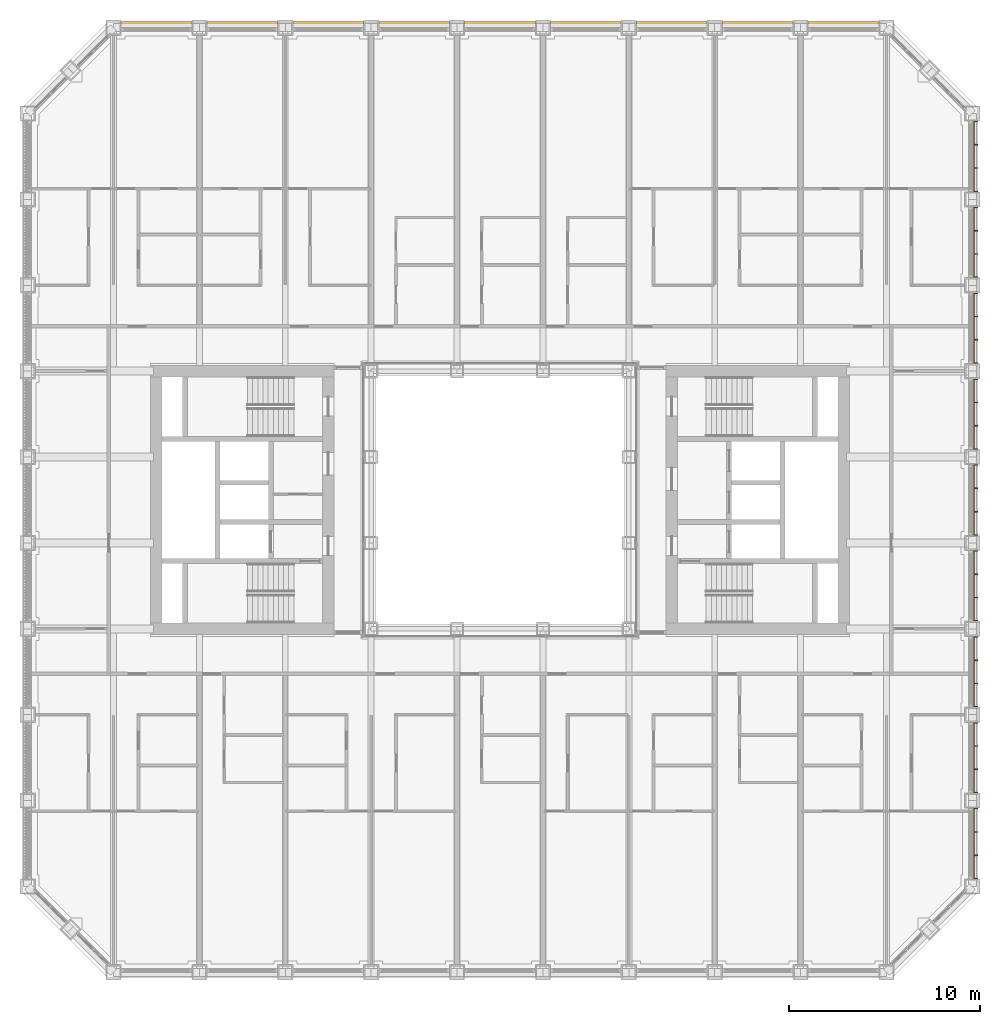
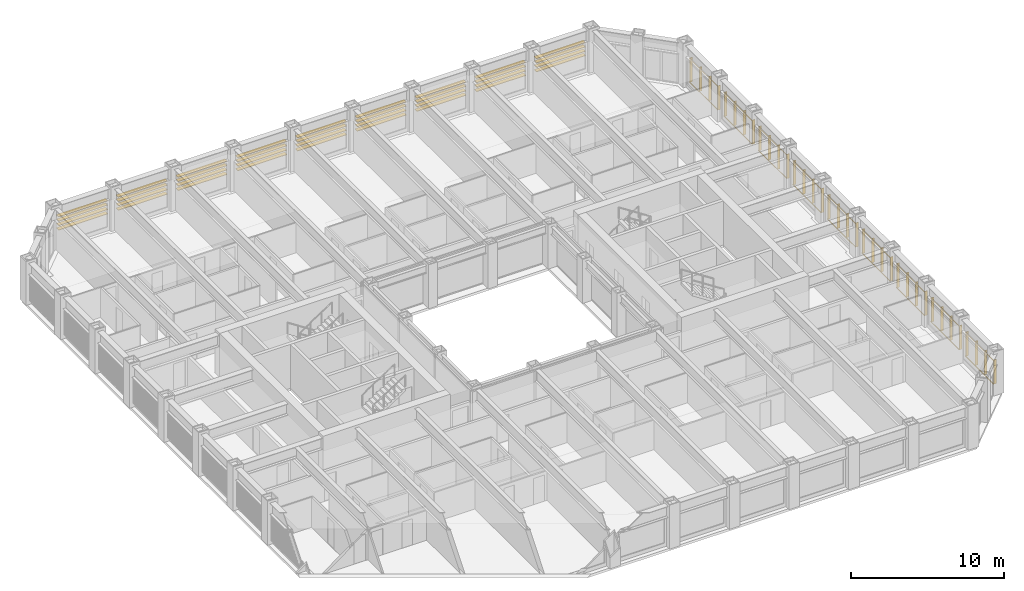
# One storey, part 21 of 21: 2 shading devices.
"""IFC4 building model written with IfcOpenShell, lengths in metres."""

from ifc_helpers import new_model, si_unit, direction, frame, origin, origin_2d, place, context, subcontext, project, spatial, rectangle, extrude, material, type_object, element, save


model = new_model("IFC4")

# Units and contexts
model_context = context("Model", 3, precision=1e-05, world=origin(), true_north=direction((0.0, 1.0)))
body_context = subcontext(model_context, "Body", "Model", "MODEL_VIEW")
ifc_project = project(units=[si_unit("LENGTHUNIT", "METRE"), si_unit("AREAUNIT", "SQUARE_METRE"), si_unit("VOLUMEUNIT", "CUBIC_METRE"), si_unit("PLANEANGLEUNIT", "RADIAN"), si_unit("MASSUNIT", "GRAM", prefix="KILO")], contexts=[model_context])

# Site, building, storey
site_placement = place(None, origin())
site = spatial("IfcSite", under=ifc_project, at=site_placement, CompositionType="ELEMENT")
building_placement = place(site_placement, origin())
building = spatial("IfcBuilding", under=site, at=building_placement, Name="Msasa Ring Tower", CompositionType="ELEMENT")
storey_placement = place(building_placement, frame((0.0, 0.0, 40.5)))
storey = spatial("IfcBuildingStorey", under=building, at=storey_placement, Name="L09", CompositionType="ELEMENT", Elevation=40.5)

# Shading devices
ifc_material_1 = material(Name="Extruded terracotta on aluminium carriers", Category="masonry")
shading_device_type_1 = type_object("IfcShadingDeviceType", Name="BS2 TERRACOTTA FIN SCREEN 40x200 AT 1350", PredefinedType="USERDEFINED", material=ifc_material_1)
shading_device_1_placement = place(storey_placement, origin())
element("IfcShadingDevice", 1, at=shading_device_1_placement, inside=storey, type_object=shading_device_type_1, Name="Terracotta fin screen E L09", ObjectType="BAGUETTE", PredefinedType="USERDEFINED", context=body_context, shape_type="SweptSolid", body=[
    extrude(rectangle(XDim=0.06005859375, YDim=0.0400390625, at=origin_2d()), frame((24.830078125, -19.85009765625, 0.330078125), z_axis=(0.0, 1.0, 0.0), x_axis=(0.0, 0.0, 1.0)), (0.0, 0.0, 1.0), 3.699951171875),
    extrude(rectangle(XDim=0.06005859375, YDim=0.0400390625, at=origin_2d()), frame((24.830078125, -19.85009765625, 2.198974609375), z_axis=(0.0, 1.0, 0.0), x_axis=(0.0, 0.0, 1.0)), (0.0, 0.0, 1.0), 3.699951171875),
    extrude(rectangle(XDim=0.0400390625, YDim=0.199951171875, at=origin_2d()), frame((24.945068359375, -19.830078125, 0.300048828125), z_axis=(0.0, 0.0, 1.0), x_axis=(0.0, 1.0, 0.0)), (0.0, 0.0, 1.0), 1.928955078125),
    extrude(rectangle(XDim=0.0400390625, YDim=0.199951171875, at=origin_2d()), frame((24.945068359375, -18.610107421875, 0.300048828125), z_axis=(0.0, 0.0, 1.0), x_axis=(0.0, 1.0, 0.0)), (0.0, 0.0, 1.0), 1.928955078125),
    extrude(rectangle(XDim=0.0400390625, YDim=0.199951171875, at=origin_2d()), frame((24.945068359375, -17.389892578125, 0.300048828125), z_axis=(0.0, 0.0, 1.0), x_axis=(0.0, 1.0, 0.0)), (0.0, 0.0, 1.0), 1.928955078125),
    extrude(rectangle(XDim=0.0400390625, YDim=0.199951171875, at=origin_2d()), frame((24.945068359375, -16.169921875, 0.300048828125), z_axis=(0.0, 0.0, 1.0), x_axis=(0.0, 1.0, 0.0)), (0.0, 0.0, 1.0), 1.928955078125),
    extrude(rectangle(XDim=0.06005859375, YDim=0.0400390625, at=origin_2d()), frame((24.830078125, -15.35009765625, 0.330078125), z_axis=(0.0, 1.0, 0.0), x_axis=(0.0, 0.0, 1.0)), (0.0, 0.0, 1.0), 3.699951171875),
    extrude(rectangle(XDim=0.06005859375, YDim=0.0400390625, at=origin_2d()), frame((24.830078125, -15.35009765625, 2.198974609375), z_axis=(0.0, 1.0, 0.0), x_axis=(0.0, 0.0, 1.0)), (0.0, 0.0, 1.0), 3.699951171875),
    extrude(rectangle(XDim=0.0400390625, YDim=0.199951171875, at=origin_2d()), frame((24.945068359375, -15.330078125, 0.300048828125), z_axis=(0.0, 0.0, 1.0), x_axis=(0.0, 1.0, 0.0)), (0.0, 0.0, 1.0), 1.928955078125),
    extrude(rectangle(XDim=0.0400390625, YDim=0.199951171875, at=origin_2d()), frame((24.945068359375, -14.110107421875, 0.300048828125), z_axis=(0.0, 0.0, 1.0), x_axis=(0.0, 1.0, 0.0)), (0.0, 0.0, 1.0), 1.928955078125),
    extrude(rectangle(XDim=0.0400390625, YDim=0.199951171875, at=origin_2d()), frame((24.945068359375, -12.889892578125, 0.300048828125), z_axis=(0.0, 0.0, 1.0), x_axis=(0.0, 1.0, 0.0)), (0.0, 0.0, 1.0), 1.928955078125),
    extrude(rectangle(XDim=0.0400390625, YDim=0.199951171875, at=origin_2d()), frame((24.945068359375, -11.669921875, 0.300048828125), z_axis=(0.0, 0.0, 1.0), x_axis=(0.0, 1.0, 0.0)), (0.0, 0.0, 1.0), 1.928955078125),
    extrude(rectangle(XDim=0.06005859375, YDim=0.0400390625, at=origin_2d()), frame((24.830078125, -10.85009765625, 0.330078125), z_axis=(0.0, 1.0, 0.0), x_axis=(0.0, 0.0, 1.0)), (0.0, 0.0, 1.0), 3.699951171875),
    extrude(rectangle(XDim=0.06005859375, YDim=0.0400390625, at=origin_2d()), frame((24.830078125, -10.85009765625, 2.198974609375), z_axis=(0.0, 1.0, 0.0), x_axis=(0.0, 0.0, 1.0)), (0.0, 0.0, 1.0), 3.699951171875),
    extrude(rectangle(XDim=0.0400390625, YDim=0.199951171875, at=origin_2d()), frame((24.945068359375, -10.830078125, 0.300048828125), z_axis=(0.0, 0.0, 1.0), x_axis=(0.0, 1.0, 0.0)), (0.0, 0.0, 1.0), 1.928955078125),
    extrude(rectangle(XDim=0.0400390625, YDim=0.199951171875, at=origin_2d()), frame((24.945068359375, -9.610107421875, 0.300048828125), z_axis=(0.0, 0.0, 1.0), x_axis=(0.0, 1.0, 0.0)), (0.0, 0.0, 1.0), 1.928955078125),
    extrude(rectangle(XDim=0.0400390625, YDim=0.199951171875, at=origin_2d()), frame((24.945068359375, -8.389892578125, 0.300048828125), z_axis=(0.0, 0.0, 1.0), x_axis=(0.0, 1.0, 0.0)), (0.0, 0.0, 1.0), 1.928955078125),
    extrude(rectangle(XDim=0.0400390625, YDim=0.199951171875, at=origin_2d()), frame((24.945068359375, -7.169921875, 0.300048828125), z_axis=(0.0, 0.0, 1.0), x_axis=(0.0, 1.0, 0.0)), (0.0, 0.0, 1.0), 1.928955078125),
    extrude(rectangle(XDim=0.06005859375, YDim=0.0400390625, at=origin_2d()), frame((24.830078125, -6.35009765625, 0.330078125), z_axis=(0.0, 1.0, 0.0), x_axis=(0.0, 0.0, 1.0)), (0.0, 0.0, 1.0), 3.699951171875),
    extrude(rectangle(XDim=0.06005859375, YDim=0.0400390625, at=origin_2d()), frame((24.830078125, -6.35009765625, 2.198974609375), z_axis=(0.0, 1.0, 0.0), x_axis=(0.0, 0.0, 1.0)), (0.0, 0.0, 1.0), 3.699951171875),
    extrude(rectangle(XDim=0.0400390625, YDim=0.199951171875, at=origin_2d()), frame((24.945068359375, -6.330078125, 0.300048828125), z_axis=(0.0, 0.0, 1.0), x_axis=(0.0, 1.0, 0.0)), (0.0, 0.0, 1.0), 1.928955078125),
    extrude(rectangle(XDim=0.0400390625, YDim=0.199951171875, at=origin_2d()), frame((24.945068359375, -5.110107421875, 0.300048828125), z_axis=(0.0, 0.0, 1.0), x_axis=(0.0, 1.0, 0.0)), (0.0, 0.0, 1.0), 1.928955078125),
    extrude(rectangle(XDim=0.0400390625, YDim=0.199951171875, at=origin_2d()), frame((24.945068359375, -3.889892578125, 0.300048828125), z_axis=(0.0, 0.0, 1.0), x_axis=(0.0, 1.0, 0.0)), (0.0, 0.0, 1.0), 1.928955078125),
    extrude(rectangle(XDim=0.0400390625, YDim=0.199951171875, at=origin_2d()), frame((24.945068359375, -2.669921875, 0.300048828125), z_axis=(0.0, 0.0, 1.0), x_axis=(0.0, 1.0, 0.0)), (0.0, 0.0, 1.0), 1.928955078125),
    extrude(rectangle(XDim=0.06005859375, YDim=0.0400390625, at=origin_2d()), frame((24.830078125, -1.85009765625, 0.330078125), z_axis=(0.0, 1.0, 0.0), x_axis=(0.0, 0.0, 1.0)), (0.0, 0.0, 1.0), 3.699951171875),
    extrude(rectangle(XDim=0.06005859375, YDim=0.0400390625, at=origin_2d()), frame((24.830078125, -1.85009765625, 2.198974609375), z_axis=(0.0, 1.0, 0.0), x_axis=(0.0, 0.0, 1.0)), (0.0, 0.0, 1.0), 3.699951171875),
    extrude(rectangle(XDim=0.0400390625, YDim=0.199951171875, at=origin_2d()), frame((24.945068359375, -1.830078125, 0.300048828125), z_axis=(0.0, 0.0, 1.0), x_axis=(0.0, 1.0, 0.0)), (0.0, 0.0, 1.0), 1.928955078125),
    extrude(rectangle(XDim=0.0400390625, YDim=0.199951171875, at=origin_2d()), frame((24.945068359375, -0.610107421875, 0.300048828125), z_axis=(0.0, 0.0, 1.0), x_axis=(0.0, 1.0, 0.0)), (0.0, 0.0, 1.0), 1.928955078125),
    extrude(rectangle(XDim=0.0400390625, YDim=0.199951171875, at=origin_2d()), frame((24.945068359375, 0.610107421875, 0.300048828125), z_axis=(0.0, 0.0, 1.0), x_axis=(0.0, 1.0, 0.0)), (0.0, 0.0, 1.0), 1.928955078125),
    extrude(rectangle(XDim=0.0400390625, YDim=0.199951171875, at=origin_2d()), frame((24.945068359375, 1.830078125, 0.300048828125), z_axis=(0.0, 0.0, 1.0), x_axis=(0.0, 1.0, 0.0)), (0.0, 0.0, 1.0), 1.928955078125),
    extrude(rectangle(XDim=0.06005859375, YDim=0.0400390625, at=origin_2d()), frame((24.830078125, 2.64990234375, 0.330078125), z_axis=(0.0, 1.0, 0.0), x_axis=(0.0, 0.0, 1.0)), (0.0, 0.0, 1.0), 3.699951171875),
    extrude(rectangle(XDim=0.06005859375, YDim=0.0400390625, at=origin_2d()), frame((24.830078125, 2.64990234375, 2.198974609375), z_axis=(0.0, 1.0, 0.0), x_axis=(0.0, 0.0, 1.0)), (0.0, 0.0, 1.0), 3.699951171875),
    extrude(rectangle(XDim=0.0400390625, YDim=0.199951171875, at=origin_2d()), frame((24.945068359375, 2.669921875, 0.300048828125), z_axis=(0.0, 0.0, 1.0), x_axis=(0.0, 1.0, 0.0)), (0.0, 0.0, 1.0), 1.928955078125),
    extrude(rectangle(XDim=0.0400390625, YDim=0.199951171875, at=origin_2d()), frame((24.945068359375, 3.889892578125, 0.300048828125), z_axis=(0.0, 0.0, 1.0), x_axis=(0.0, 1.0, 0.0)), (0.0, 0.0, 1.0), 1.928955078125),
    extrude(rectangle(XDim=0.0400390625, YDim=0.199951171875, at=origin_2d()), frame((24.945068359375, 5.110107421875, 0.300048828125), z_axis=(0.0, 0.0, 1.0), x_axis=(0.0, 1.0, 0.0)), (0.0, 0.0, 1.0), 1.928955078125),
    extrude(rectangle(XDim=0.0400390625, YDim=0.199951171875, at=origin_2d()), frame((24.945068359375, 6.330078125, 0.300048828125), z_axis=(0.0, 0.0, 1.0), x_axis=(0.0, 1.0, 0.0)), (0.0, 0.0, 1.0), 1.928955078125),
    extrude(rectangle(XDim=0.06005859375, YDim=0.0400390625, at=origin_2d()), frame((24.830078125, 7.14990234375, 0.330078125), z_axis=(0.0, 1.0, 0.0), x_axis=(0.0, 0.0, 1.0)), (0.0, 0.0, 1.0), 3.699951171875),
    extrude(rectangle(XDim=0.06005859375, YDim=0.0400390625, at=origin_2d()), frame((24.830078125, 7.14990234375, 2.198974609375), z_axis=(0.0, 1.0, 0.0), x_axis=(0.0, 0.0, 1.0)), (0.0, 0.0, 1.0), 3.699951171875),
    extrude(rectangle(XDim=0.0400390625, YDim=0.199951171875, at=origin_2d()), frame((24.945068359375, 7.169921875, 0.300048828125), z_axis=(0.0, 0.0, 1.0), x_axis=(0.0, 1.0, 0.0)), (0.0, 0.0, 1.0), 1.928955078125),
    extrude(rectangle(XDim=0.0400390625, YDim=0.199951171875, at=origin_2d()), frame((24.945068359375, 8.389892578125, 0.300048828125), z_axis=(0.0, 0.0, 1.0), x_axis=(0.0, 1.0, 0.0)), (0.0, 0.0, 1.0), 1.928955078125),
    extrude(rectangle(XDim=0.0400390625, YDim=0.199951171875, at=origin_2d()), frame((24.945068359375, 9.610107421875, 0.300048828125), z_axis=(0.0, 0.0, 1.0), x_axis=(0.0, 1.0, 0.0)), (0.0, 0.0, 1.0), 1.928955078125),
    extrude(rectangle(XDim=0.0400390625, YDim=0.199951171875, at=origin_2d()), frame((24.945068359375, 10.830078125, 0.300048828125), z_axis=(0.0, 0.0, 1.0), x_axis=(0.0, 1.0, 0.0)), (0.0, 0.0, 1.0), 1.928955078125),
    extrude(rectangle(XDim=0.06005859375, YDim=0.0400390625, at=origin_2d()), frame((24.830078125, 11.64990234375, 0.330078125), z_axis=(0.0, 1.0, 0.0), x_axis=(0.0, 0.0, 1.0)), (0.0, 0.0, 1.0), 3.699951171875),
    extrude(rectangle(XDim=0.06005859375, YDim=0.0400390625, at=origin_2d()), frame((24.830078125, 11.64990234375, 2.198974609375), z_axis=(0.0, 1.0, 0.0), x_axis=(0.0, 0.0, 1.0)), (0.0, 0.0, 1.0), 3.699951171875),
    extrude(rectangle(XDim=0.0400390625, YDim=0.199951171875, at=origin_2d()), frame((24.945068359375, 11.669921875, 0.300048828125), z_axis=(0.0, 0.0, 1.0), x_axis=(0.0, 1.0, 0.0)), (0.0, 0.0, 1.0), 1.928955078125),
    extrude(rectangle(XDim=0.0400390625, YDim=0.199951171875, at=origin_2d()), frame((24.945068359375, 12.889892578125, 0.300048828125), z_axis=(0.0, 0.0, 1.0), x_axis=(0.0, 1.0, 0.0)), (0.0, 0.0, 1.0), 1.928955078125),
    extrude(rectangle(XDim=0.0400390625, YDim=0.199951171875, at=origin_2d()), frame((24.945068359375, 14.110107421875, 0.300048828125), z_axis=(0.0, 0.0, 1.0), x_axis=(0.0, 1.0, 0.0)), (0.0, 0.0, 1.0), 1.928955078125),
    extrude(rectangle(XDim=0.0400390625, YDim=0.199951171875, at=origin_2d()), frame((24.945068359375, 15.330078125, 0.300048828125), z_axis=(0.0, 0.0, 1.0), x_axis=(0.0, 1.0, 0.0)), (0.0, 0.0, 1.0), 1.928955078125),
    extrude(rectangle(XDim=0.06005859375, YDim=0.0400390625, at=origin_2d()), frame((24.830078125, 16.14990234375, 0.330078125), z_axis=(0.0, 1.0, 0.0), x_axis=(0.0, 0.0, 1.0)), (0.0, 0.0, 1.0), 3.699951171875),
    extrude(rectangle(XDim=0.06005859375, YDim=0.0400390625, at=origin_2d()), frame((24.830078125, 16.14990234375, 2.198974609375), z_axis=(0.0, 1.0, 0.0), x_axis=(0.0, 0.0, 1.0)), (0.0, 0.0, 1.0), 3.699951171875),
    extrude(rectangle(XDim=0.0400390625, YDim=0.199951171875, at=origin_2d()), frame((24.945068359375, 16.169921875, 0.300048828125), z_axis=(0.0, 0.0, 1.0), x_axis=(0.0, 1.0, 0.0)), (0.0, 0.0, 1.0), 1.928955078125),
    extrude(rectangle(XDim=0.0400390625, YDim=0.199951171875, at=origin_2d()), frame((24.945068359375, 17.389892578125, 0.300048828125), z_axis=(0.0, 0.0, 1.0), x_axis=(0.0, 1.0, 0.0)), (0.0, 0.0, 1.0), 1.928955078125),
    extrude(rectangle(XDim=0.0400390625, YDim=0.199951171875, at=origin_2d()), frame((24.945068359375, 18.610107421875, 0.300048828125), z_axis=(0.0, 0.0, 1.0), x_axis=(0.0, 1.0, 0.0)), (0.0, 0.0, 1.0), 1.928955078125),
    extrude(rectangle(XDim=0.0400390625, YDim=0.199951171875, at=origin_2d()), frame((24.945068359375, 19.830078125, 0.300048828125), z_axis=(0.0, 0.0, 1.0), x_axis=(0.0, 1.0, 0.0)), (0.0, 0.0, 1.0), 1.928955078125),
])
ifc_material_2 = material(Name="Extruded terracotta blades", Category="masonry")
shading_device_type_2 = type_object("IfcShadingDeviceType", Name="SS1 TERRACOTTA SUNSHADE 4 BLADES 300x40 AT 350", PredefinedType="USERDEFINED", material=ifc_material_2)
shading_device_2_placement = place(storey_placement, origin())
element("IfcShadingDevice", 2, at=shading_device_2_placement, inside=storey, type_object=shading_device_type_2, Name="Terracotta sunshade N L09", ObjectType="SUNSHADE", PredefinedType="USERDEFINED", context=body_context, shape_type="SweptSolid", body=[
    extrude(rectangle(XDim=0.0400390625, YDim=0.300048828125, at=origin_2d()), frame((-19.85009765625, 24.929931640625, 2.208984375), z_axis=(1.0, 0.0, 0.0), x_axis=(0.0, 0.0, 1.0)), (0.0, 0.0, 1.0), 3.699951171875),
    extrude(rectangle(XDim=0.0400390625, YDim=0.300048828125, at=origin_2d()), frame((-19.85009765625, 24.929931640625, 1.85888671875), z_axis=(1.0, 0.0, 0.0), x_axis=(0.0, 0.0, 1.0)), (0.0, 0.0, 1.0), 3.699951171875),
    extrude(rectangle(XDim=0.0400390625, YDim=0.300048828125, at=origin_2d()), frame((-19.85009765625, 24.929931640625, 1.509033203125), z_axis=(1.0, 0.0, 0.0), x_axis=(0.0, 0.0, 1.0)), (0.0, 0.0, 1.0), 3.699951171875),
    extrude(rectangle(XDim=0.0400390625, YDim=0.300048828125, at=origin_2d()), frame((-19.85009765625, 24.929931640625, 1.158935546875), z_axis=(1.0, 0.0, 0.0), x_axis=(0.0, 0.0, 1.0)), (0.0, 0.0, 1.0), 3.699951171875),
    extrude(rectangle(XDim=0.0400390625, YDim=0.300048828125, at=origin_2d()), frame((-15.35009765625, 24.929931640625, 2.208984375), z_axis=(1.0, 0.0, 0.0), x_axis=(0.0, 0.0, 1.0)), (0.0, 0.0, 1.0), 3.699951171875),
    extrude(rectangle(XDim=0.0400390625, YDim=0.300048828125, at=origin_2d()), frame((-15.35009765625, 24.929931640625, 1.85888671875), z_axis=(1.0, 0.0, 0.0), x_axis=(0.0, 0.0, 1.0)), (0.0, 0.0, 1.0), 3.699951171875),
    extrude(rectangle(XDim=0.0400390625, YDim=0.300048828125, at=origin_2d()), frame((-15.35009765625, 24.929931640625, 1.509033203125), z_axis=(1.0, 0.0, 0.0), x_axis=(0.0, 0.0, 1.0)), (0.0, 0.0, 1.0), 3.699951171875),
    extrude(rectangle(XDim=0.0400390625, YDim=0.300048828125, at=origin_2d()), frame((-15.35009765625, 24.929931640625, 1.158935546875), z_axis=(1.0, 0.0, 0.0), x_axis=(0.0, 0.0, 1.0)), (0.0, 0.0, 1.0), 3.699951171875),
    extrude(rectangle(XDim=0.0400390625, YDim=0.300048828125, at=origin_2d()), frame((-10.85009765625, 24.929931640625, 2.208984375), z_axis=(1.0, 0.0, 0.0), x_axis=(0.0, 0.0, 1.0)), (0.0, 0.0, 1.0), 3.699951171875),
    extrude(rectangle(XDim=0.0400390625, YDim=0.300048828125, at=origin_2d()), frame((-10.85009765625, 24.929931640625, 1.85888671875), z_axis=(1.0, 0.0, 0.0), x_axis=(0.0, 0.0, 1.0)), (0.0, 0.0, 1.0), 3.699951171875),
    extrude(rectangle(XDim=0.0400390625, YDim=0.300048828125, at=origin_2d()), frame((-10.85009765625, 24.929931640625, 1.509033203125), z_axis=(1.0, 0.0, 0.0), x_axis=(0.0, 0.0, 1.0)), (0.0, 0.0, 1.0), 3.699951171875),
    extrude(rectangle(XDim=0.0400390625, YDim=0.300048828125, at=origin_2d()), frame((-10.85009765625, 24.929931640625, 1.158935546875), z_axis=(1.0, 0.0, 0.0), x_axis=(0.0, 0.0, 1.0)), (0.0, 0.0, 1.0), 3.699951171875),
    extrude(rectangle(XDim=0.0400390625, YDim=0.300048828125, at=origin_2d()), frame((-6.35009765625, 24.929931640625, 2.208984375), z_axis=(1.0, 0.0, 0.0), x_axis=(0.0, 0.0, 1.0)), (0.0, 0.0, 1.0), 3.699951171875),
    extrude(rectangle(XDim=0.0400390625, YDim=0.300048828125, at=origin_2d()), frame((-6.35009765625, 24.929931640625, 1.85888671875), z_axis=(1.0, 0.0, 0.0), x_axis=(0.0, 0.0, 1.0)), (0.0, 0.0, 1.0), 3.699951171875),
    extrude(rectangle(XDim=0.0400390625, YDim=0.300048828125, at=origin_2d()), frame((-6.35009765625, 24.929931640625, 1.509033203125), z_axis=(1.0, 0.0, 0.0), x_axis=(0.0, 0.0, 1.0)), (0.0, 0.0, 1.0), 3.699951171875),
    extrude(rectangle(XDim=0.0400390625, YDim=0.300048828125, at=origin_2d()), frame((-6.35009765625, 24.929931640625, 1.158935546875), z_axis=(1.0, 0.0, 0.0), x_axis=(0.0, 0.0, 1.0)), (0.0, 0.0, 1.0), 3.699951171875),
    extrude(rectangle(XDim=0.0400390625, YDim=0.300048828125, at=origin_2d()), frame((-1.85009765625, 24.929931640625, 2.208984375), z_axis=(1.0, 0.0, 0.0), x_axis=(0.0, 0.0, 1.0)), (0.0, 0.0, 1.0), 3.699951171875),
    extrude(rectangle(XDim=0.0400390625, YDim=0.300048828125, at=origin_2d()), frame((-1.85009765625, 24.929931640625, 1.85888671875), z_axis=(1.0, 0.0, 0.0), x_axis=(0.0, 0.0, 1.0)), (0.0, 0.0, 1.0), 3.699951171875),
    extrude(rectangle(XDim=0.0400390625, YDim=0.300048828125, at=origin_2d()), frame((-1.85009765625, 24.929931640625, 1.509033203125), z_axis=(1.0, 0.0, 0.0), x_axis=(0.0, 0.0, 1.0)), (0.0, 0.0, 1.0), 3.699951171875),
    extrude(rectangle(XDim=0.0400390625, YDim=0.300048828125, at=origin_2d()), frame((-1.85009765625, 24.929931640625, 1.158935546875), z_axis=(1.0, 0.0, 0.0), x_axis=(0.0, 0.0, 1.0)), (0.0, 0.0, 1.0), 3.699951171875),
    extrude(rectangle(XDim=0.0400390625, YDim=0.300048828125, at=origin_2d()), frame((2.64990234375, 24.929931640625, 2.208984375), z_axis=(1.0, 0.0, 0.0), x_axis=(0.0, 0.0, 1.0)), (0.0, 0.0, 1.0), 3.699951171875),
    extrude(rectangle(XDim=0.0400390625, YDim=0.300048828125, at=origin_2d()), frame((2.64990234375, 24.929931640625, 1.85888671875), z_axis=(1.0, 0.0, 0.0), x_axis=(0.0, 0.0, 1.0)), (0.0, 0.0, 1.0), 3.699951171875),
    extrude(rectangle(XDim=0.0400390625, YDim=0.300048828125, at=origin_2d()), frame((2.64990234375, 24.929931640625, 1.509033203125), z_axis=(1.0, 0.0, 0.0), x_axis=(0.0, 0.0, 1.0)), (0.0, 0.0, 1.0), 3.699951171875),
    extrude(rectangle(XDim=0.0400390625, YDim=0.300048828125, at=origin_2d()), frame((2.64990234375, 24.929931640625, 1.158935546875), z_axis=(1.0, 0.0, 0.0), x_axis=(0.0, 0.0, 1.0)), (0.0, 0.0, 1.0), 3.699951171875),
    extrude(rectangle(XDim=0.0400390625, YDim=0.300048828125, at=origin_2d()), frame((7.14990234375, 24.929931640625, 2.208984375), z_axis=(1.0, 0.0, 0.0), x_axis=(0.0, 0.0, 1.0)), (0.0, 0.0, 1.0), 3.699951171875),
    extrude(rectangle(XDim=0.0400390625, YDim=0.300048828125, at=origin_2d()), frame((7.14990234375, 24.929931640625, 1.85888671875), z_axis=(1.0, 0.0, 0.0), x_axis=(0.0, 0.0, 1.0)), (0.0, 0.0, 1.0), 3.699951171875),
    extrude(rectangle(XDim=0.0400390625, YDim=0.300048828125, at=origin_2d()), frame((7.14990234375, 24.929931640625, 1.509033203125), z_axis=(1.0, 0.0, 0.0), x_axis=(0.0, 0.0, 1.0)), (0.0, 0.0, 1.0), 3.699951171875),
    extrude(rectangle(XDim=0.0400390625, YDim=0.300048828125, at=origin_2d()), frame((7.14990234375, 24.929931640625, 1.158935546875), z_axis=(1.0, 0.0, 0.0), x_axis=(0.0, 0.0, 1.0)), (0.0, 0.0, 1.0), 3.699951171875),
    extrude(rectangle(XDim=0.0400390625, YDim=0.300048828125, at=origin_2d()), frame((11.64990234375, 24.929931640625, 2.208984375), z_axis=(1.0, 0.0, 0.0), x_axis=(0.0, 0.0, 1.0)), (0.0, 0.0, 1.0), 3.699951171875),
    extrude(rectangle(XDim=0.0400390625, YDim=0.300048828125, at=origin_2d()), frame((11.64990234375, 24.929931640625, 1.85888671875), z_axis=(1.0, 0.0, 0.0), x_axis=(0.0, 0.0, 1.0)), (0.0, 0.0, 1.0), 3.699951171875),
    extrude(rectangle(XDim=0.0400390625, YDim=0.300048828125, at=origin_2d()), frame((11.64990234375, 24.929931640625, 1.509033203125), z_axis=(1.0, 0.0, 0.0), x_axis=(0.0, 0.0, 1.0)), (0.0, 0.0, 1.0), 3.699951171875),
    extrude(rectangle(XDim=0.0400390625, YDim=0.300048828125, at=origin_2d()), frame((11.64990234375, 24.929931640625, 1.158935546875), z_axis=(1.0, 0.0, 0.0), x_axis=(0.0, 0.0, 1.0)), (0.0, 0.0, 1.0), 3.699951171875),
    extrude(rectangle(XDim=0.0400390625, YDim=0.300048828125, at=origin_2d()), frame((16.14990234375, 24.929931640625, 2.208984375), z_axis=(1.0, 0.0, 0.0), x_axis=(0.0, 0.0, 1.0)), (0.0, 0.0, 1.0), 3.699951171875),
    extrude(rectangle(XDim=0.0400390625, YDim=0.300048828125, at=origin_2d()), frame((16.14990234375, 24.929931640625, 1.85888671875), z_axis=(1.0, 0.0, 0.0), x_axis=(0.0, 0.0, 1.0)), (0.0, 0.0, 1.0), 3.699951171875),
    extrude(rectangle(XDim=0.0400390625, YDim=0.300048828125, at=origin_2d()), frame((16.14990234375, 24.929931640625, 1.509033203125), z_axis=(1.0, 0.0, 0.0), x_axis=(0.0, 0.0, 1.0)), (0.0, 0.0, 1.0), 3.699951171875),
    extrude(rectangle(XDim=0.0400390625, YDim=0.300048828125, at=origin_2d()), frame((16.14990234375, 24.929931640625, 1.158935546875), z_axis=(1.0, 0.0, 0.0), x_axis=(0.0, 0.0, 1.0)), (0.0, 0.0, 1.0), 3.699951171875),
])

save(model, "model.ifc")
